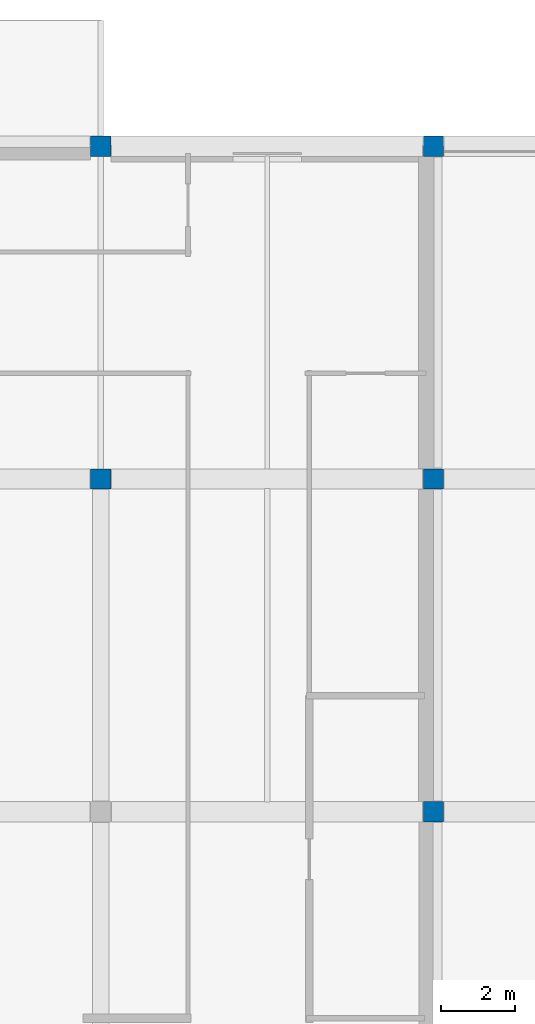
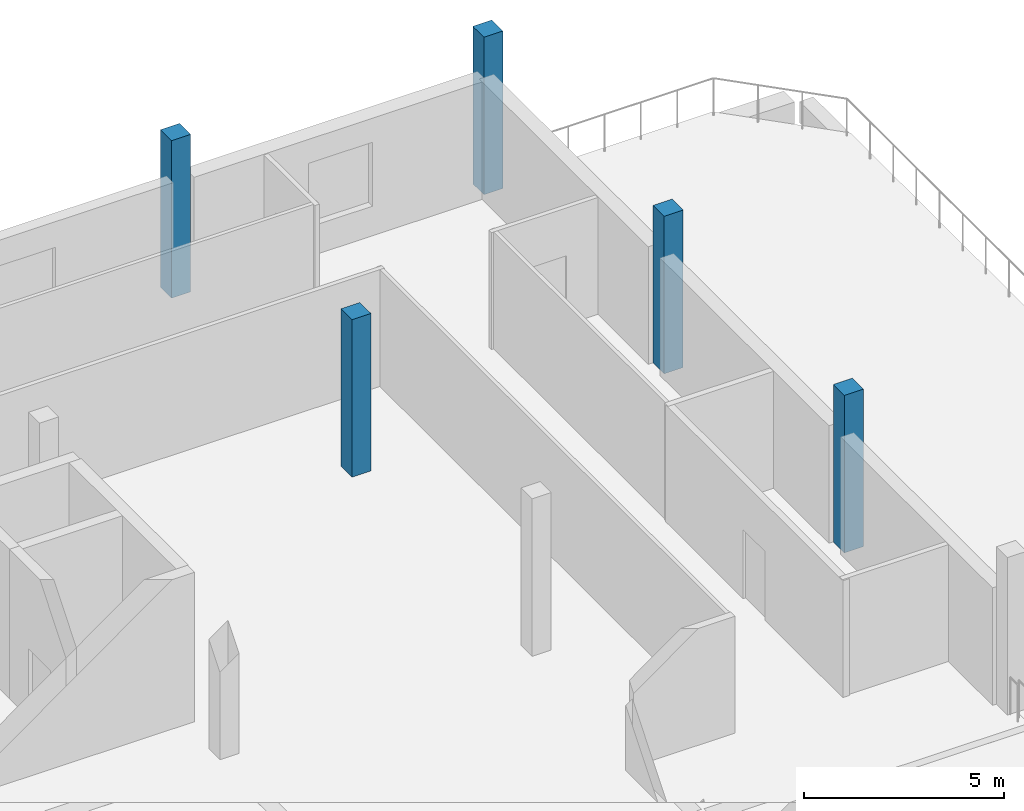
# One storey, part 4 of 111: 5 columns.
"""IFC4 building model written with IfcOpenShell, lengths in metres."""

from ifc_helpers import new_model, si_unit, direction, frame, origin, origin_2d, place, context, subcontext, project, spatial, rectangle, extrude, material, material_profile, profile_set, type_object, element, save


model = new_model("IFC4")

# Units and contexts
model_context = context("Model", 3, precision=1e-05, world=origin(), true_north=direction((0.0, 1.0)))
body_context = subcontext(model_context, "Body", "Model", "MODEL_VIEW")
ifc_project = project(units=[si_unit("LENGTHUNIT", "METRE"), si_unit("AREAUNIT", "SQUARE_METRE"), si_unit("VOLUMEUNIT", "CUBIC_METRE"), si_unit("PLANEANGLEUNIT", "RADIAN"), si_unit("MASSUNIT", "GRAM", prefix="KILO"), si_unit("THERMODYNAMICTEMPERATUREUNIT", "KELVIN"), si_unit("POWERUNIT", "WATT")], contexts=[model_context])

# Site, building, storey
site_placement = place(None, origin())
site = spatial("IfcSite", under=ifc_project, at=site_placement, CompositionType="ELEMENT")
building_placement = place(site_placement, origin())
building = spatial("IfcBuilding", under=site, at=building_placement, Name="Sindhuravela Promenade Stadium", CompositionType="ELEMENT")
storey_placement = place(building_placement, frame((0.0, 0.0, 9.60009765625)))
storey = spatial("IfcBuildingStorey", under=building, at=storey_placement, Name="L02", CompositionType="ELEMENT", Elevation=9.60009765625)

# Columns
ifc_material = material(Name="Concrete M40", Category="concrete")
ifc_material_profile = material_profile(ifc_material, rectangle(XDim=0.550048828125, YDim=0.550048828125, at=origin_2d()), Name="RC 550x550")
ifc_profile_set = profile_set([ifc_material_profile], Name="Concrete M40")
column_type = type_object("IfcColumnType", Name="RC-CL-550x550", PredefinedType="COLUMN", material=ifc_profile_set)
for number, where, z_axis, x_axis, name in (
    (1, (198.0, 144.0, 0.0), (0.0, 0.0, 1.0), (1.0, 0.0, 0.0), "Column C18 Pavilion NE L02"),
    (2, (198.0, 153.0, 0.0), (0.0, 0.0, 1.0), (1.0, 0.0, 0.0), "Column C18 Pavilion NE L02"),
    (3, (207.0, 135.0, 0.0), (0.0, 0.0, 1.0), (1.0, 0.0, 0.0), "Column C18 Pavilion NE L02"),
    (4, (207.0, 144.0, 0.0), (0.0, 0.0, 1.0), (1.0, 0.0, 0.0), "Column C18 Pavilion NE L02"),
    (5, (207.0, 153.0, 0.0), (0.0, 0.0, 1.0), (1.0, 0.0, 0.0), "Column C18 Pavilion NE L02"),
):
    element("IfcColumn", number, at=place(storey_placement, frame(where, z_axis=z_axis, x_axis=x_axis)), inside=storey, type_object=column_type, Name=name, PredefinedType="COLUMN", context=body_context, shape_type="SweptSolid", body=[
        extrude(rectangle(XDim=0.550048828125, YDim=0.550048828125, at=origin_2d()), origin(), (0.0, 0.0, 1.0), 4.7998046875),
    ])

save(model, "model.ifc")
